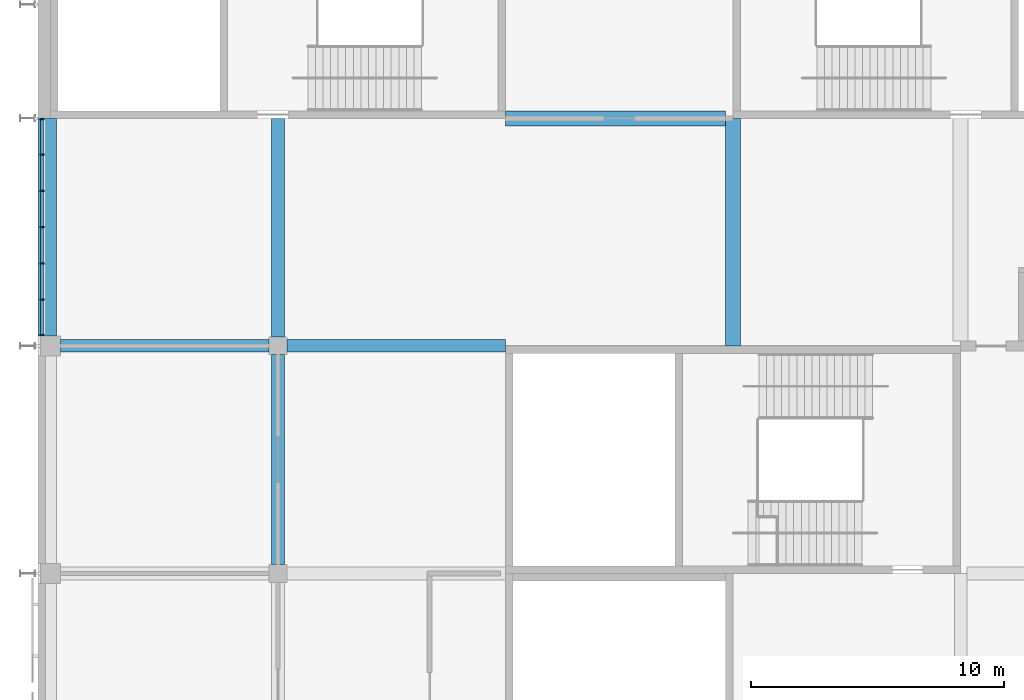
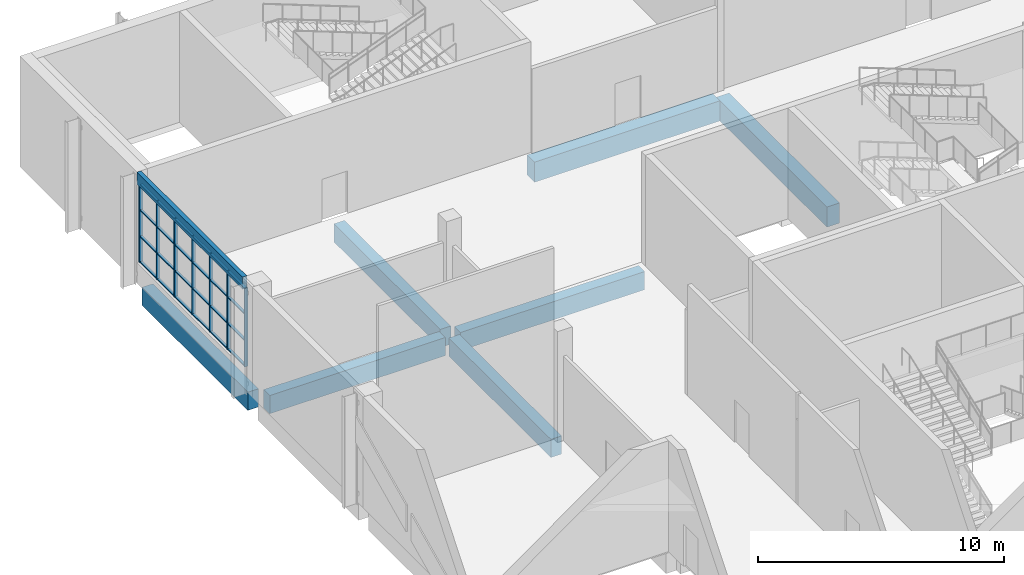
# One storey, part 13 of 84: 31 members, 8 beams, 1 element without a shape of its own.
"""IFC4 building model written with IfcOpenShell, lengths in metres."""

import ifcopenshell
import ifcopenshell.guid

model = None  # the IFC model being written
_history = None  # IfcOwnerHistory: only IFC2X3 demands one
_inside = {}  # id of a spatial element -> (the spatial element, [elements in it])
_under = {}  # id of a project, library or spatial element -> (it, [spatial elements below it])
_declared = {}  # id of a project -> (the project, [libraries it declares])
_typed = {}  # id of a type object -> (the type object, [elements of that type])
_made_of = {}  # id of a material, layer set ... -> (it, [elements and type objects made of it])


def new_model(schema):
    """Start an empty IFC model of exactly this schema.

    Asked for "IFC4X3", IfcOpenShell would pick the latest addendum, in which some entities
    have other attributes; the version numbers below select the first issue.
    IFC2X3 requires an IfcOwnerHistory on every rooted entity: one is made here for all.
    """
    global model, _history
    if schema == "IFC4X3":
        model = ifcopenshell.file(schema_version=(4, 3, 0, 0))
    else:
        model = ifcopenshell.file(schema=schema)
    _inside.clear()
    _under.clear()
    _declared.clear()
    _typed.clear()
    _made_of.clear()
    _history = None
    if model.schema == "IFC2X3":
        org = make("IfcOrganization", Name="unknown")
        user = make(
            "IfcPersonAndOrganization",
            ThePerson=make("IfcPerson", FamilyName="unknown"),
            TheOrganization=org,
        )
        app = make(
            "IfcApplication",
            ApplicationDeveloper=org,
            Version="unknown",
            ApplicationFullName="unknown",
            ApplicationIdentifier="unknown",
        )
        _history = make(
            "IfcOwnerHistory",
            OwningUser=user,
            OwningApplication=app,
            ChangeAction="ADDED",
            CreationDate=0,
        )
    return model


def make(cls, **values):
    """One entity of the class cls with the attributes given. An attribute that is None is left unset."""
    return model.create_entity(
        cls, **{name: value for name, value in values.items() if value is not None}
    )


def rooted(cls, **values):
    """An entity with a GlobalId (a new one), such as an element, a storey or a relation."""
    return make(cls, GlobalId=ifcopenshell.guid.new(), OwnerHistory=_history, **values)


def si_unit(unit_type, name, prefix=None):
    """IfcSIUnit, for example si_unit("LENGTHUNIT", "METRE", prefix="MILLI")."""
    return make("IfcSIUnit", UnitType=unit_type, Prefix=prefix, Name=name)


def assignment(units):
    """IfcUnitAssignment: the units of a project."""
    return None if units is None else make("IfcUnitAssignment", Units=units)


def point(xyz):
    """IfcCartesianPoint."""
    return None if xyz is None else make("IfcCartesianPoint", Coordinates=xyz)


def direction(xyz):
    """IfcDirection."""
    return None if xyz is None else make("IfcDirection", DirectionRatios=xyz)


def frame(location, z_axis=None, x_axis=None):
    """IfcAxis2Placement3D, a coordinate frame: its origin and axes. An axis left out is left unset."""
    return make(
        "IfcAxis2Placement3D",
        Location=point(location),
        Axis=direction(z_axis),
        RefDirection=direction(x_axis),
    )


def frame_2d(location, x_axis=None):
    """IfcAxis2Placement2D, a coordinate frame in the plane: its origin and x axis."""
    return make(
        "IfcAxis2Placement2D", Location=point(location), RefDirection=direction(x_axis)
    )


def origin():
    """The frame at (0, 0, 0) with its axes left unset."""
    return frame((0.0, 0.0, 0.0))


def origin_2d():
    """The frame at (0, 0) in the plane with its x axis left unset."""
    return frame_2d((0.0, 0.0))


def place(relative_to, where):
    """IfcLocalPlacement: puts the frame where relative to a parent placement (None: the world)."""
    return make(
        "IfcLocalPlacement", PlacementRelTo=relative_to, RelativePlacement=where
    )


def context(
    kind, dimensions, precision=None, world=None, true_north=None, identifier=None
):
    """IfcGeometricRepresentationContext, for example the 3D "Model" context."""
    return make(
        "IfcGeometricRepresentationContext",
        ContextIdentifier=identifier,
        ContextType=kind,
        CoordinateSpaceDimension=dimensions,
        Precision=precision,
        WorldCoordinateSystem=world,
        TrueNorth=true_north,
    )


def subcontext(parent, identifier, kind, view, scale=None):
    """IfcGeometricRepresentationSubContext, for example "Body" below "Model"."""
    return make(
        "IfcGeometricRepresentationSubContext",
        ContextIdentifier=identifier,
        ContextType=kind,
        ParentContext=parent,
        TargetScale=scale,
        TargetView=view,
    )


def project(units=None, contexts=None):
    """IfcProject with its units and contexts."""
    return rooted(
        "IfcProject",
        Name="project",
        RepresentationContexts=contexts,
        UnitsInContext=assignment(units),
    )


def spatial(cls, under=None, at=None, **own):
    """A site, building, storey or space (cls), placed at a placement, below another one or the project."""
    s = rooted(cls, ObjectPlacement=at, **own)
    if under is not None:
        _under.setdefault(under.id(), (under, []))[1].append(s)
    return s


def profile(cls, at=None, kind="AREA", **sizes):
    """A parametric profile (cls). Its sizes go by their IFC names, for example OverallWidth=200.0."""
    return make(cls, ProfileType=kind, Position=at, **sizes)


def rectangle(**sizes):
    """IfcRectangleProfileDef."""
    return profile("IfcRectangleProfileDef", **sizes)


def extrude(swept, where, along, depth):
    """IfcExtrudedAreaSolid: the profile swept, set in the frame where, extruded along a direction by depth."""
    return make(
        "IfcExtrudedAreaSolid",
        SweptArea=swept,
        Position=where,
        ExtrudedDirection=direction(along),
        Depth=depth,
    )


def shape(context_of_items, identifier, shape_type, items):
    """IfcShapeRepresentation: the items that make up one representation, for example the "Body"."""
    return make(
        "IfcShapeRepresentation",
        ContextOfItems=context_of_items,
        RepresentationIdentifier=identifier,
        RepresentationType=shape_type,
        Items=items,
    )


def material(Name=None, Category=None):
    """IfcMaterial."""
    return make("IfcMaterial", Name=Name, Category=Category)


def material_profile(
    of_material, cross_section, Name=None, Category=None, Priority=None
):
    """IfcMaterialProfile: a cross section and its material."""
    return make(
        "IfcMaterialProfile",
        Name=Name,
        Material=of_material,
        Profile=cross_section,
        Priority=Priority,
        Category=Category,
    )


def profile_set(profiles, Name=None, composite=None):
    """IfcMaterialProfileSet."""
    return make(
        "IfcMaterialProfileSet",
        Name=Name,
        MaterialProfiles=profiles,
        CompositeProfile=composite,
    )


def made_of(thing, what):
    """Note that an element or type object is made of a material, layer set ...; save() writes the relation."""
    if what is not None:
        _made_of.setdefault(what.id(), (what, []))[1].append(thing)
    return thing


def type_object(cls, material=None, **own):
    """A type object (cls), such as IfcWallType, which elements share."""
    return made_of(rooted(cls, **own), material)


def element(
    cls,
    number,
    at=None,
    inside=None,
    cuts=None,
    type_object=None,
    material=None,
    context=None,
    identifier="Body",
    shape_type=None,
    held_by="IfcProductDefinitionShape",
    body=None,
    shapes=None,
    **own,
):
    """One element of the class cls, such as IfcWall. Its Tag is "e" and its number.

    at: its placement. inside: the storey or other place that contains it. cuts: it is an
    opening in that element (IfcRelVoidsElement). A single representation is given by context,
    identifier, shape_type and body (its items); several are given by shapes. held_by: the class
    of the entity that holds the representations. save() writes the other relations.
    """
    e = rooted(cls, Tag="e%d" % number, ObjectPlacement=at, **own)
    if body is not None:
        shapes = [shape(context, identifier, shape_type, body)]
    if shapes is not None:
        e.Representation = make(held_by, Representations=shapes)
    if inside is not None:
        _inside.setdefault(inside.id(), (inside, []))[1].append(e)
    if cuts is not None:
        rooted(
            "IfcRelVoidsElement", RelatingBuildingElement=cuts, RelatedOpeningElement=e
        )
    if type_object is not None:
        _typed.setdefault(type_object.id(), (type_object, []))[1].append(e)
    return made_of(e, material)


def aggregate(whole, parts):
    """IfcRelAggregates: a whole, such as a stair, and the parts it consists of."""
    return rooted("IfcRelAggregates", RelatingObject=whole, RelatedObjects=parts)


def save(model, path):
    """Write the relations noted so far, then the file.

    IfcRelAggregates (storeys below a building ...), IfcRelContainedInSpatialStructure (elements
    in a storey), IfcRelDefinesByType, IfcRelAssociatesMaterial and IfcRelDeclares: one each for
    every whole, place, type object, material and project.
    """
    for whole, parts in _under.values():
        aggregate(whole, parts)
    for where, things in _inside.values():
        rooted(
            "IfcRelContainedInSpatialStructure",
            RelatedElements=things,
            RelatingStructure=where,
        )
    for kind, things in _typed.values():
        rooted("IfcRelDefinesByType", RelatedObjects=things, RelatingType=kind)
    for what, things in _made_of.values():
        rooted("IfcRelAssociatesMaterial", RelatedObjects=things, RelatingMaterial=what)
    for by, libraries in _declared.values():
        rooted("IfcRelDeclares", RelatingContext=by, RelatedDefinitions=libraries)
    model.write(path)


model = new_model("IFC4")

# Units and contexts
model_context = context("Model", 3, precision=1e-05, world=origin(), true_north=direction((0.0, 1.0)))
body_context = subcontext(model_context, "Body", "Model", "MODEL_VIEW")
ifc_project = project(units=[si_unit("LENGTHUNIT", "METRE"), si_unit("AREAUNIT", "SQUARE_METRE"), si_unit("VOLUMEUNIT", "CUBIC_METRE"), si_unit("PLANEANGLEUNIT", "RADIAN"), si_unit("MASSUNIT", "GRAM", prefix="KILO")], contexts=[model_context])

# Site, building, storey
site_placement = place(None, origin())
site = spatial("IfcSite", under=ifc_project, at=site_placement, CompositionType="ELEMENT")
building_placement = place(site_placement, origin())
building = spatial("IfcBuilding", under=site, at=building_placement, Name="Silverbay Arena", CompositionType="ELEMENT")
storey_placement = place(building_placement, frame((0.0, 0.0, 28.0)))
storey = spatial("IfcBuildingStorey", under=building, at=storey_placement, Name="L04", CompositionType="ELEMENT", Elevation=28.0)

# Curtain wall, members
ifc_material_1 = material(Name="Aluminium framed curtain wall", Category="aluminium")
curtain_wall_type = type_object("IfcCurtainWallType", Name="Curtain wall 8600 x 3900", PredefinedType="NOTDEFINED", material=ifc_material_1)
curtain_wall_placement = place(storey_placement, origin())
curtain_wall = element("IfcCurtainWall", 1, at=curtain_wall_placement, inside=storey, type_object=curtain_wall_type, Name="West curtain wall L04 bay 13", PredefinedType="NOTDEFINED")
ifc_material_2 = material(Name="Aluminium", Category="aluminium")
ifc_material_profile_1 = material_profile(ifc_material_2, rectangle(XDim=0.159912109375, YDim=0.06005859375, at=origin_2d()), Name="Mullion 60 x 160")
ifc_profile_set_1 = profile_set([ifc_material_profile_1], Name="Aluminium")
member_type_1 = type_object("IfcMemberType", Name="Mullion 60 x 160", PredefinedType="MULLION", material=ifc_profile_set_1)
member_1_placement = place(storey_placement, frame((53.669921875, 134.969970703125, 1.0), z_axis=(0.0, 0.0, 1.0), x_axis=(1.0, 0.0, 0.0)))
member_1 = element("IfcMember", 2, at=member_1_placement, type_object=member_type_1, Name="CW1 mullion 1", PredefinedType="MULLION", context=body_context, shape_type="SweptSolid", body=[
    extrude(rectangle(XDim=0.159912109375, YDim=0.06005859375, at=origin_2d()), origin(), (0.0, 0.0, 1.0), 3.89990234375),
])
member_2_placement = place(storey_placement, frame((53.669921875, 133.566650390625, 1.0), z_axis=(0.0, 0.0, 1.0), x_axis=(1.0, 0.0, 0.0)))
member_2 = element("IfcMember", 3, at=member_2_placement, type_object=member_type_1, Name="CW1 mullion 2", PredefinedType="MULLION", context=body_context, shape_type="SweptSolid", body=[
    extrude(rectangle(XDim=0.159912109375, YDim=0.06005859375, at=origin_2d()), origin(), (0.0, 0.0, 1.0), 3.89990234375),
])
member_3_placement = place(storey_placement, frame((53.669921875, 132.13330078125, 1.0), z_axis=(0.0, 0.0, 1.0), x_axis=(1.0, 0.0, 0.0)))
member_3 = element("IfcMember", 4, at=member_3_placement, type_object=member_type_1, Name="CW1 mullion 3", PredefinedType="MULLION", context=body_context, shape_type="SweptSolid", body=[
    extrude(rectangle(XDim=0.159912109375, YDim=0.06005859375, at=origin_2d()), origin(), (0.0, 0.0, 1.0), 3.89990234375),
])
member_4_placement = place(storey_placement, frame((53.669921875, 130.699951171875, 1.0), z_axis=(0.0, 0.0, 1.0), x_axis=(1.0, 0.0, 0.0)))
member_4 = element("IfcMember", 5, at=member_4_placement, type_object=member_type_1, Name="CW1 mullion 4", PredefinedType="MULLION", context=body_context, shape_type="SweptSolid", body=[
    extrude(rectangle(XDim=0.159912109375, YDim=0.06005859375, at=origin_2d()), origin(), (0.0, 0.0, 1.0), 3.89990234375),
])
member_5_placement = place(storey_placement, frame((53.669921875, 129.2666015625, 1.0), z_axis=(0.0, 0.0, 1.0), x_axis=(1.0, 0.0, 0.0)))
member_5 = element("IfcMember", 6, at=member_5_placement, type_object=member_type_1, Name="CW1 mullion 5", PredefinedType="MULLION", context=body_context, shape_type="SweptSolid", body=[
    extrude(rectangle(XDim=0.159912109375, YDim=0.06005859375, at=origin_2d()), origin(), (0.0, 0.0, 1.0), 3.89990234375),
])
member_6_placement = place(storey_placement, frame((53.669921875, 127.833251953125, 1.0), z_axis=(0.0, 0.0, 1.0), x_axis=(1.0, 0.0, 0.0)))
member_6 = element("IfcMember", 7, at=member_6_placement, type_object=member_type_1, Name="CW1 mullion 6", PredefinedType="MULLION", context=body_context, shape_type="SweptSolid", body=[
    extrude(rectangle(XDim=0.159912109375, YDim=0.06005859375, at=origin_2d()), origin(), (0.0, 0.0, 1.0), 3.89990234375),
])
member_7_placement = place(storey_placement, frame((53.669921875, 126.429931640625, 1.0), z_axis=(0.0, 0.0, 1.0), x_axis=(1.0, 0.0, 0.0)))
member_7 = element("IfcMember", 8, at=member_7_placement, type_object=member_type_1, Name="CW1 mullion 7", PredefinedType="MULLION", context=body_context, shape_type="SweptSolid", body=[
    extrude(rectangle(XDim=0.159912109375, YDim=0.06005859375, at=origin_2d()), origin(), (0.0, 0.0, 1.0), 3.89990234375),
])

# Beams
ifc_material_3 = material(Name="Concrete Grade C45", Category="concrete")
ifc_material_profile_2 = material_profile(ifc_material_3, rectangle(XDim=0.5, YDim=0.89990234375, at=origin_2d()), Name="RC 500x900")
ifc_profile_set_2 = profile_set([ifc_material_profile_2], Name="Concrete Grade C45")
beam_type_1 = type_object("IfcBeamType", Name="RC beam 500x900", PredefinedType="BEAM", material=ifc_profile_set_2)
beam_1_placement = place(storey_placement, frame((54.39990234375, 126.0, -0.75), z_axis=(1.0, 0.0, 0.0), x_axis=(0.0, 1.0, 0.0)))
element("IfcBeam", 9, at=beam_1_placement, inside=storey, type_object=beam_type_1, Name="Floor beam L04 063", PredefinedType="BEAM", context=body_context, shape_type="SweptSolid", body=[
    extrude(rectangle(XDim=0.5, YDim=0.89990234375, at=origin_2d()), origin(), (0.0, 0.0, 1.0), 8.25),
])
beam_2_placement = place(storey_placement, frame((63.35009765625, 126.0, -0.75), z_axis=(1.0, 0.0, 0.0), x_axis=(0.0, 1.0, 0.0)))
element("IfcBeam", 10, at=beam_2_placement, inside=storey, type_object=beam_type_1, Name="Floor beam L04 064", PredefinedType="BEAM", context=body_context, shape_type="SweptSolid", body=[
    extrude(rectangle(XDim=0.5, YDim=0.89990234375, at=origin_2d()), origin(), (0.0, 0.0, 1.0), 8.64990234375),
])
beam_3_placement = place(storey_placement, frame((54.0, 126.39990234375, -0.75), z_axis=(0.0, 1.0, 0.0), x_axis=(-1.0, 0.0, 0.0)))
element("IfcBeam", 11, at=beam_3_placement, inside=storey, type_object=beam_type_1, Name="Floor beam L04 084", PredefinedType="BEAM", context=body_context, shape_type="SweptSolid", body=[
    extrude(rectangle(XDim=0.5, YDim=0.89990234375, at=origin_2d()), origin(), (0.0, 0.0, 1.0), 8.60009765625),
])
beam_4_placement = place(storey_placement, frame((63.0, 117.35009765625, -0.75), z_axis=(0.0, 1.0, 0.0), x_axis=(-1.0, 0.0, 0.0)))
element("IfcBeam", 12, at=beam_4_placement, inside=storey, type_object=beam_type_1, Name="Floor beam L04 091", PredefinedType="BEAM", context=body_context, shape_type="SweptSolid", body=[
    extrude(rectangle(XDim=0.5, YDim=0.89990234375, at=origin_2d()), origin(), (0.0, 0.0, 1.0), 8.2998046875),
])
beam_5_placement = place(storey_placement, frame((63.0, 126.35009765625, -0.75), z_axis=(0.0, 1.0, 0.0), x_axis=(-1.0, 0.0, 0.0)))
element("IfcBeam", 13, at=beam_5_placement, inside=storey, type_object=beam_type_1, Name="Floor beam L04 092", PredefinedType="BEAM", context=body_context, shape_type="SweptSolid", body=[
    extrude(rectangle(XDim=0.5, YDim=0.89990234375, at=origin_2d()), origin(), (0.0, 0.0, 1.0), 8.64990234375),
])
ifc_material_4 = material(Name="Concrete Grade C45", Category="concrete")
ifc_material_profile_3 = material_profile(ifc_material_4, rectangle(XDim=0.60009765625, YDim=1.0, at=origin_2d()), Name="RC 600x1000")
ifc_profile_set_3 = profile_set([ifc_material_profile_3], Name="Concrete Grade C45")
beam_type_2 = type_object("IfcBeamType", Name="RC beam 600x1000", PredefinedType="BEAM", material=ifc_profile_set_3)
beam_6_placement = place(storey_placement, frame((72.0, 135.0, -0.800048828125), z_axis=(1.0, 0.0, 0.0), x_axis=(0.0, 1.0, 0.0)))
element("IfcBeam", 14, at=beam_6_placement, inside=storey, type_object=beam_type_2, Name="Floor beam L04 067", PredefinedType="BEAM", context=body_context, shape_type="SweptSolid", body=[
    extrude(rectangle(XDim=0.60009765625, YDim=1.0, at=origin_2d()), origin(), (0.0, 0.0, 1.0), 8.699951171875),
])
beam_7_placement = place(storey_placement, frame((81.0, 126.0, -0.800048828125), z_axis=(0.0, 1.0, 0.0), x_axis=(-1.0, 0.0, 0.0)))
element("IfcBeam", 15, at=beam_7_placement, inside=storey, type_object=beam_type_2, Name="Floor beam L04 094", PredefinedType="BEAM", context=body_context, shape_type="SweptSolid", body=[
    extrude(rectangle(XDim=0.60009765625, YDim=1.0, at=origin_2d()), origin(), (0.0, 0.0, 1.0), 9.0),
])
ifc_material_5 = material(Name="Concrete Grade C45", Category="concrete")
ifc_material_profile_4 = material_profile(ifc_material_5, rectangle(XDim=0.199951171875, YDim=0.60009765625, at=origin_2d()), Name="RC 200x600")
ifc_profile_set_4 = profile_set([ifc_material_profile_4], Name="Concrete Grade C45")
beam_type_3 = type_object("IfcBeamType", Name="RC facade beam 200x600", PredefinedType="SPANDREL", material=ifc_profile_set_4)
beam_8_placement = place(storey_placement, frame((53.60009765625, 126.39990234375, 5.199951171875), z_axis=(0.0, 1.0, 0.0), x_axis=(-1.0, 0.0, 0.0)))
element("IfcBeam", 16, at=beam_8_placement, inside=storey, type_object=beam_type_3, Name="Facade beam L04 west", PredefinedType="SPANDREL", context=body_context, shape_type="SweptSolid", body=[
    extrude(rectangle(XDim=0.199951171875, YDim=0.60009765625, at=origin_2d()), origin(), (0.0, 0.0, 1.0), 8.60009765625),
])

# Member
ifc_material_6 = material(Name="Aluminium", Category="aluminium")
ifc_material_profile_5 = material_profile(ifc_material_6, rectangle(XDim=0.1201171875, YDim=0.050048828125, at=origin_2d()), Name="Transom 50 x 120")
ifc_profile_set_5 = profile_set([ifc_material_profile_5], Name="Aluminium")
member_type_2 = type_object("IfcMemberType", Name="Transom 50 x 120", PredefinedType="USERDEFINED", material=ifc_profile_set_5)
member_8_placement = place(storey_placement, frame((53.669921875, 134.93994140625, 1.02490234375), z_axis=(0.0, -1.0, 0.0), x_axis=(1.0, 0.0, 0.0)))
member_8 = element("IfcMember", 17, at=member_8_placement, type_object=member_type_2, Name="CW1 transom 1.1", ObjectType="TRANSOM", PredefinedType="USERDEFINED", context=body_context, shape_type="SweptSolid", body=[
    extrude(rectangle(XDim=0.1201171875, YDim=0.050048828125, at=origin_2d()), origin(), (0.0, 0.0, 1.0), 1.34326171875),
])

member_9_placement = place(storey_placement, frame((53.669921875, 134.93994140625, 2.300048828125), z_axis=(0.0, -1.0, 0.0), x_axis=(1.0, 0.0, 0.0)))
member_9 = element("IfcMember", 18, at=member_9_placement, type_object=member_type_2, Name="CW1 transom 1.2", ObjectType="TRANSOM", PredefinedType="USERDEFINED", context=body_context, shape_type="SweptSolid", body=[
    extrude(rectangle(XDim=0.1201171875, YDim=0.050048828125, at=origin_2d()), origin(), (0.0, 0.0, 1.0), 1.34326171875),
])

member_10_placement = place(storey_placement, frame((53.669921875, 134.93994140625, 3.60009765625), z_axis=(0.0, -1.0, 0.0), x_axis=(1.0, 0.0, 0.0)))
member_10 = element("IfcMember", 19, at=member_10_placement, type_object=member_type_2, Name="CW1 transom 1.3", ObjectType="TRANSOM", PredefinedType="USERDEFINED", context=body_context, shape_type="SweptSolid", body=[
    extrude(rectangle(XDim=0.1201171875, YDim=0.050048828125, at=origin_2d()), origin(), (0.0, 0.0, 1.0), 1.34326171875),
])

member_11_placement = place(storey_placement, frame((53.669921875, 134.93994140625, 4.875), z_axis=(0.0, -1.0, 0.0), x_axis=(1.0, 0.0, 0.0)))
member_11 = element("IfcMember", 20, at=member_11_placement, type_object=member_type_2, Name="CW1 transom 1.4", ObjectType="TRANSOM", PredefinedType="USERDEFINED", context=body_context, shape_type="SweptSolid", body=[
    extrude(rectangle(XDim=0.1201171875, YDim=0.050048828125, at=origin_2d()), origin(), (0.0, 0.0, 1.0), 1.34326171875),
])

member_12_placement = place(storey_placement, frame((53.669921875, 133.53662109375, 1.02490234375), z_axis=(0.0, -1.0, 0.0), x_axis=(1.0, 0.0, 0.0)))
member_12 = element("IfcMember", 21, at=member_12_placement, type_object=member_type_2, Name="CW1 transom 2.1", ObjectType="TRANSOM", PredefinedType="USERDEFINED", context=body_context, shape_type="SweptSolid", body=[
    extrude(rectangle(XDim=0.1201171875, YDim=0.050048828125, at=origin_2d()), origin(), (0.0, 0.0, 1.0), 1.373291015625),
])

member_13_placement = place(storey_placement, frame((53.669921875, 133.53662109375, 2.300048828125), z_axis=(0.0, -1.0, 0.0), x_axis=(1.0, 0.0, 0.0)))
member_13 = element("IfcMember", 22, at=member_13_placement, type_object=member_type_2, Name="CW1 transom 2.2", ObjectType="TRANSOM", PredefinedType="USERDEFINED", context=body_context, shape_type="SweptSolid", body=[
    extrude(rectangle(XDim=0.1201171875, YDim=0.050048828125, at=origin_2d()), origin(), (0.0, 0.0, 1.0), 1.373291015625),
])

member_14_placement = place(storey_placement, frame((53.669921875, 133.53662109375, 3.60009765625), z_axis=(0.0, -1.0, 0.0), x_axis=(1.0, 0.0, 0.0)))
member_14 = element("IfcMember", 23, at=member_14_placement, type_object=member_type_2, Name="CW1 transom 2.3", ObjectType="TRANSOM", PredefinedType="USERDEFINED", context=body_context, shape_type="SweptSolid", body=[
    extrude(rectangle(XDim=0.1201171875, YDim=0.050048828125, at=origin_2d()), origin(), (0.0, 0.0, 1.0), 1.373291015625),
])

member_15_placement = place(storey_placement, frame((53.669921875, 133.53662109375, 4.875), z_axis=(0.0, -1.0, 0.0), x_axis=(1.0, 0.0, 0.0)))
member_15 = element("IfcMember", 24, at=member_15_placement, type_object=member_type_2, Name="CW1 transom 2.4", ObjectType="TRANSOM", PredefinedType="USERDEFINED", context=body_context, shape_type="SweptSolid", body=[
    extrude(rectangle(XDim=0.1201171875, YDim=0.050048828125, at=origin_2d()), origin(), (0.0, 0.0, 1.0), 1.373291015625),
])

member_16_placement = place(storey_placement, frame((53.669921875, 132.103271484375, 1.02490234375), z_axis=(0.0, -1.0, 0.0), x_axis=(1.0, 0.0, 0.0)))
member_16 = element("IfcMember", 25, at=member_16_placement, type_object=member_type_2, Name="CW1 transom 3.1", ObjectType="TRANSOM", PredefinedType="USERDEFINED", context=body_context, shape_type="SweptSolid", body=[
    extrude(rectangle(XDim=0.1201171875, YDim=0.050048828125, at=origin_2d()), origin(), (0.0, 0.0, 1.0), 1.373291015625),
])

member_17_placement = place(storey_placement, frame((53.669921875, 132.103271484375, 2.300048828125), z_axis=(0.0, -1.0, 0.0), x_axis=(1.0, 0.0, 0.0)))
member_17 = element("IfcMember", 26, at=member_17_placement, type_object=member_type_2, Name="CW1 transom 3.2", ObjectType="TRANSOM", PredefinedType="USERDEFINED", context=body_context, shape_type="SweptSolid", body=[
    extrude(rectangle(XDim=0.1201171875, YDim=0.050048828125, at=origin_2d()), origin(), (0.0, 0.0, 1.0), 1.373291015625),
])

member_18_placement = place(storey_placement, frame((53.669921875, 132.103271484375, 3.60009765625), z_axis=(0.0, -1.0, 0.0), x_axis=(1.0, 0.0, 0.0)))
member_18 = element("IfcMember", 27, at=member_18_placement, type_object=member_type_2, Name="CW1 transom 3.3", ObjectType="TRANSOM", PredefinedType="USERDEFINED", context=body_context, shape_type="SweptSolid", body=[
    extrude(rectangle(XDim=0.1201171875, YDim=0.050048828125, at=origin_2d()), origin(), (0.0, 0.0, 1.0), 1.373291015625),
])

member_19_placement = place(storey_placement, frame((53.669921875, 132.103271484375, 4.875), z_axis=(0.0, -1.0, 0.0), x_axis=(1.0, 0.0, 0.0)))
member_19 = element("IfcMember", 28, at=member_19_placement, type_object=member_type_2, Name="CW1 transom 3.4", ObjectType="TRANSOM", PredefinedType="USERDEFINED", context=body_context, shape_type="SweptSolid", body=[
    extrude(rectangle(XDim=0.1201171875, YDim=0.050048828125, at=origin_2d()), origin(), (0.0, 0.0, 1.0), 1.373291015625),
])

member_20_placement = place(storey_placement, frame((53.669921875, 130.669921875, 1.02490234375), z_axis=(0.0, -1.0, 0.0), x_axis=(1.0, 0.0, 0.0)))
member_20 = element("IfcMember", 29, at=member_20_placement, type_object=member_type_2, Name="CW1 transom 4.1", ObjectType="TRANSOM", PredefinedType="USERDEFINED", context=body_context, shape_type="SweptSolid", body=[
    extrude(rectangle(XDim=0.1201171875, YDim=0.050048828125, at=origin_2d()), origin(), (0.0, 0.0, 1.0), 1.373291015625),
])

member_21_placement = place(storey_placement, frame((53.669921875, 130.669921875, 2.300048828125), z_axis=(0.0, -1.0, 0.0), x_axis=(1.0, 0.0, 0.0)))
member_21 = element("IfcMember", 30, at=member_21_placement, type_object=member_type_2, Name="CW1 transom 4.2", ObjectType="TRANSOM", PredefinedType="USERDEFINED", context=body_context, shape_type="SweptSolid", body=[
    extrude(rectangle(XDim=0.1201171875, YDim=0.050048828125, at=origin_2d()), origin(), (0.0, 0.0, 1.0), 1.373291015625),
])

member_22_placement = place(storey_placement, frame((53.669921875, 130.669921875, 3.60009765625), z_axis=(0.0, -1.0, 0.0), x_axis=(1.0, 0.0, 0.0)))
member_22 = element("IfcMember", 31, at=member_22_placement, type_object=member_type_2, Name="CW1 transom 4.3", ObjectType="TRANSOM", PredefinedType="USERDEFINED", context=body_context, shape_type="SweptSolid", body=[
    extrude(rectangle(XDim=0.1201171875, YDim=0.050048828125, at=origin_2d()), origin(), (0.0, 0.0, 1.0), 1.373291015625),
])

member_23_placement = place(storey_placement, frame((53.669921875, 130.669921875, 4.875), z_axis=(0.0, -1.0, 0.0), x_axis=(1.0, 0.0, 0.0)))
member_23 = element("IfcMember", 32, at=member_23_placement, type_object=member_type_2, Name="CW1 transom 4.4", ObjectType="TRANSOM", PredefinedType="USERDEFINED", context=body_context, shape_type="SweptSolid", body=[
    extrude(rectangle(XDim=0.1201171875, YDim=0.050048828125, at=origin_2d()), origin(), (0.0, 0.0, 1.0), 1.373291015625),
])

member_24_placement = place(storey_placement, frame((53.669921875, 129.236572265625, 1.02490234375), z_axis=(0.0, -1.0, 0.0), x_axis=(1.0, 0.0, 0.0)))
member_24 = element("IfcMember", 33, at=member_24_placement, type_object=member_type_2, Name="CW1 transom 5.1", ObjectType="TRANSOM", PredefinedType="USERDEFINED", context=body_context, shape_type="SweptSolid", body=[
    extrude(rectangle(XDim=0.1201171875, YDim=0.050048828125, at=origin_2d()), origin(), (0.0, 0.0, 1.0), 1.373291015625),
])

member_25_placement = place(storey_placement, frame((53.669921875, 129.236572265625, 2.300048828125), z_axis=(0.0, -1.0, 0.0), x_axis=(1.0, 0.0, 0.0)))
member_25 = element("IfcMember", 34, at=member_25_placement, type_object=member_type_2, Name="CW1 transom 5.2", ObjectType="TRANSOM", PredefinedType="USERDEFINED", context=body_context, shape_type="SweptSolid", body=[
    extrude(rectangle(XDim=0.1201171875, YDim=0.050048828125, at=origin_2d()), origin(), (0.0, 0.0, 1.0), 1.373291015625),
])

member_26_placement = place(storey_placement, frame((53.669921875, 129.236572265625, 3.60009765625), z_axis=(0.0, -1.0, 0.0), x_axis=(1.0, 0.0, 0.0)))
member_26 = element("IfcMember", 35, at=member_26_placement, type_object=member_type_2, Name="CW1 transom 5.3", ObjectType="TRANSOM", PredefinedType="USERDEFINED", context=body_context, shape_type="SweptSolid", body=[
    extrude(rectangle(XDim=0.1201171875, YDim=0.050048828125, at=origin_2d()), origin(), (0.0, 0.0, 1.0), 1.373291015625),
])

member_27_placement = place(storey_placement, frame((53.669921875, 129.236572265625, 4.875), z_axis=(0.0, -1.0, 0.0), x_axis=(1.0, 0.0, 0.0)))
member_27 = element("IfcMember", 36, at=member_27_placement, type_object=member_type_2, Name="CW1 transom 5.4", ObjectType="TRANSOM", PredefinedType="USERDEFINED", context=body_context, shape_type="SweptSolid", body=[
    extrude(rectangle(XDim=0.1201171875, YDim=0.050048828125, at=origin_2d()), origin(), (0.0, 0.0, 1.0), 1.373291015625),
])

member_28_placement = place(storey_placement, frame((53.669921875, 127.80322265625, 1.02490234375), z_axis=(0.0, -1.0, 0.0), x_axis=(1.0, 0.0, 0.0)))
member_28 = element("IfcMember", 37, at=member_28_placement, type_object=member_type_2, Name="CW1 transom 6.1", ObjectType="TRANSOM", PredefinedType="USERDEFINED", context=body_context, shape_type="SweptSolid", body=[
    extrude(rectangle(XDim=0.1201171875, YDim=0.050048828125, at=origin_2d()), origin(), (0.0, 0.0, 1.0), 1.34326171875),
])

member_29_placement = place(storey_placement, frame((53.669921875, 127.80322265625, 2.300048828125), z_axis=(0.0, -1.0, 0.0), x_axis=(1.0, 0.0, 0.0)))
member_29 = element("IfcMember", 38, at=member_29_placement, type_object=member_type_2, Name="CW1 transom 6.2", ObjectType="TRANSOM", PredefinedType="USERDEFINED", context=body_context, shape_type="SweptSolid", body=[
    extrude(rectangle(XDim=0.1201171875, YDim=0.050048828125, at=origin_2d()), origin(), (0.0, 0.0, 1.0), 1.34326171875),
])

member_30_placement = place(storey_placement, frame((53.669921875, 127.80322265625, 3.60009765625), z_axis=(0.0, -1.0, 0.0), x_axis=(1.0, 0.0, 0.0)))
member_30 = element("IfcMember", 39, at=member_30_placement, type_object=member_type_2, Name="CW1 transom 6.3", ObjectType="TRANSOM", PredefinedType="USERDEFINED", context=body_context, shape_type="SweptSolid", body=[
    extrude(rectangle(XDim=0.1201171875, YDim=0.050048828125, at=origin_2d()), origin(), (0.0, 0.0, 1.0), 1.34326171875),
])

member_31_placement = place(storey_placement, frame((53.669921875, 127.80322265625, 4.875), z_axis=(0.0, -1.0, 0.0), x_axis=(1.0, 0.0, 0.0)))
member_31 = element("IfcMember", 40, at=member_31_placement, type_object=member_type_2, Name="CW1 transom 6.4", ObjectType="TRANSOM", PredefinedType="USERDEFINED", context=body_context, shape_type="SweptSolid", body=[
    extrude(rectangle(XDim=0.1201171875, YDim=0.050048828125, at=origin_2d()), origin(), (0.0, 0.0, 1.0), 1.34326171875),
])

aggregate(curtain_wall, [member_1, member_2, member_3, member_4, member_5, member_6, member_7, member_8, member_9, member_10, member_11, member_12, member_13, member_14, member_15, member_16, member_17, member_18, member_19, member_20, member_21, member_22, member_23, member_24, member_25, member_26, member_27, member_28, member_29, member_30, member_31])

save(model, "model.ifc")
